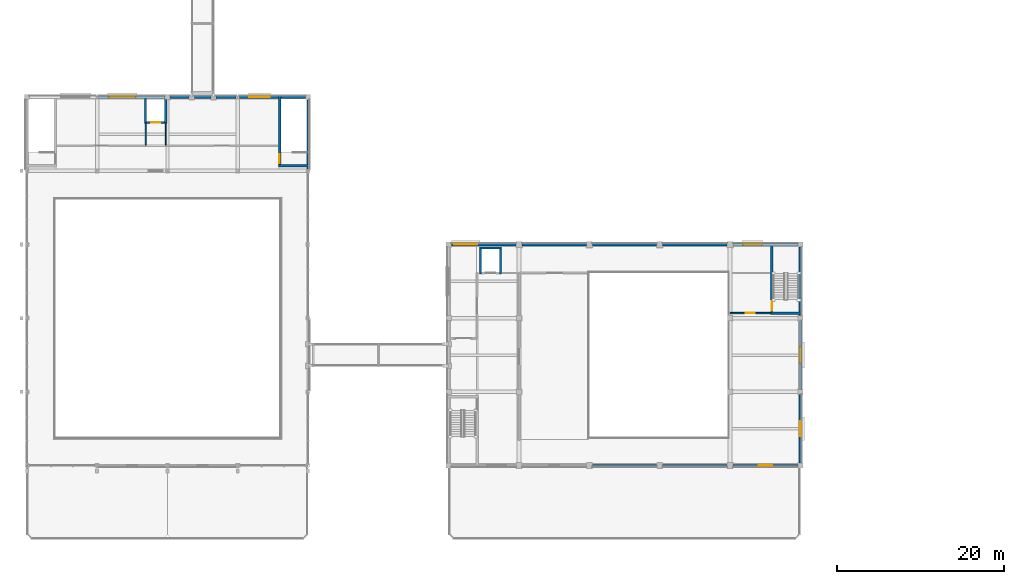
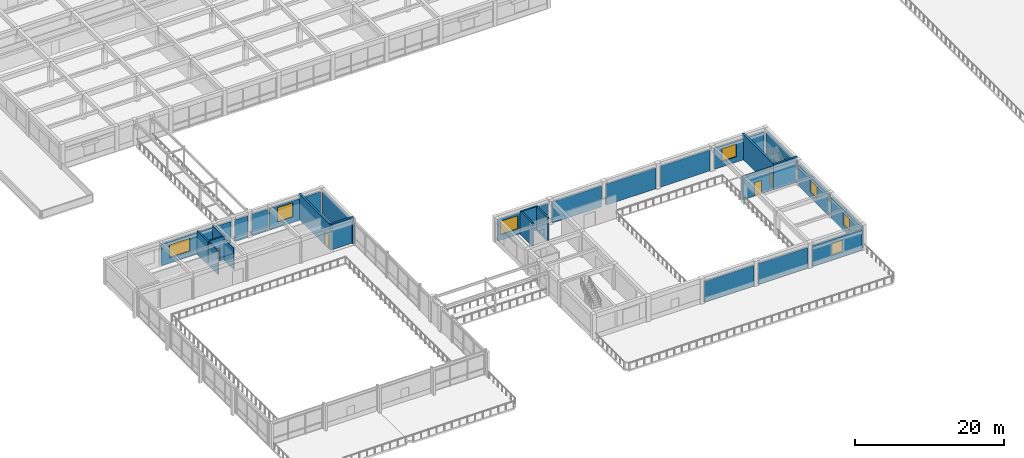
# One storey, part 35 of 57: 30 walls, 7 windows, 4 doors, 11 openings.
"""IFC4 building model written with IfcOpenShell, lengths in metres."""

from ifc_helpers import new_model, si_unit, direction, frame, frame_2d, origin, place, context, subcontext, project, spatial, rectangle, extrude, material, layer, layer_set, type_object, element, fill, save


model = new_model("IFC4")

# Units and contexts
model_context = context("Model", 3, precision=1e-05, world=origin(), true_north=direction((0.0, 1.0)))
body_context = subcontext(model_context, "Body", "Model", "MODEL_VIEW")
ifc_project = project(units=[si_unit("LENGTHUNIT", "METRE"), si_unit("AREAUNIT", "SQUARE_METRE"), si_unit("VOLUMEUNIT", "CUBIC_METRE"), si_unit("PLANEANGLEUNIT", "RADIAN"), si_unit("MASSUNIT", "GRAM", prefix="KILO")], contexts=[model_context])

# Site, building, storey
site_placement = place(None, origin())
site = spatial("IfcSite", under=ifc_project, at=site_placement, CompositionType="ELEMENT")
building_placement = place(site_placement, origin())
building = spatial("IfcBuilding", under=site, at=building_placement, Name="Kemercrest Conservatory and Botanical Centre", CompositionType="ELEMENT")
storey_placement = place(building_placement, frame((0.0, 0.0, 4.800048828125)))
storey = spatial("IfcBuildingStorey", under=building, at=storey_placement, Name="L01", CompositionType="ELEMENT", Elevation=4.800048828125)

# Wall
ifc_material_1 = material(Name="Precast concrete C40/50", Category="concrete")
ifc_layer_1 = layer(ifc_material_1, 0.300048828125)
ifc_layer_set_1 = layer_set([ifc_layer_1], Name="Precast concrete C40/50")
wall_type_1 = type_object("IfcWallType", Name="CW-EXT300", PredefinedType="SHEAR", material=ifc_layer_set_1)
wall_1_placement = place(storey_placement, frame((41.60009765625, 52.213134765625, 0.0), z_axis=(0.0, 0.0, 1.0), x_axis=(0.0, 1.0, 0.0)))
element("IfcWall", 1, at=wall_1_placement, inside=storey, type_object=wall_type_1, Name="Exterior stair-core shear wall CW-EXT300 (WAL:L01:EXT-015)", PredefinedType="SHEAR", context=body_context, shape_type="SweptSolid", body=[
    extrude(rectangle(XDim=8.27685546875, YDim=0.300048828125, at=frame_2d((4.138427734375, 0.0))), origin(), (0.0, 0.0, 1.0), 3.550048828125),
])

# Wall, opening, window
wall_2_placement = place(storey_placement, frame((41.2900390625, 60.800048828125, 0.0), z_axis=(0.0, 0.0, 1.0), x_axis=(-1.0, 0.0, 0.0)))
wall_2 = element("IfcWall", 2, at=wall_2_placement, inside=storey, type_object=wall_type_1, Name="Exterior stair-core shear wall CW-EXT300 (WAL:L01:EXT-016)", PredefinedType="SHEAR", context=body_context, shape_type="SweptSolid", body=[
    extrude(rectangle(XDim=7.8984375, YDim=0.300048828125, at=frame_2d((3.94921875, 0.0))), origin(), (0.0, 0.0, 1.0), 3.550048828125),
])
opening_1_placement = place(wall_2_placement, frame((4.294189453125, 0.0, 0.89990234375)))
opening_1 = element("IfcOpeningElement", 3, at=opening_1_placement, cuts=wall_2, Name="Opening WT-17", PredefinedType="OPENING", context=body_context, shape_type="SweptSolid", body=[
    extrude(rectangle(XDim=2.39990234375, YDim=2.35009765625, at=frame_2d((1.199951171875, 1.175048828125))), frame((0.0, 0.16015625, 0.0), z_axis=(0.0, -1.0, 0.0), x_axis=(1.0, 0.0, 0.0)), (0.0, 0.0, 1.0), 0.320068359375),
])
ifc_material_2 = material(Name="Thermally broken bronze-anodized aluminium and triple glazing", Category="aluminium")
window_type_1 = type_object("IfcWindowType", Name="WT-17", PartitioningType="SINGLE_PANEL", PredefinedType="WINDOW", material=ifc_material_2)
window_1_placement = place(opening_1_placement, origin())
window_1 = element("IfcWindow", 4, at=window_1_placement, inside=storey, type_object=window_type_1, Name="Exterior window WT-17 (WIN:L01:EXT-016)", OverallHeight=2.35009765625, OverallWidth=2.39990234375, PartitioningType="SINGLE_PANEL", PredefinedType="WINDOW", context=body_context, shape_type="SweptSolid", body=[
    extrude(rectangle(XDim=2.39990234375, YDim=2.35009765625, at=frame_2d((1.199951171875, 1.175048828125))), frame((0.0, 0.030029296875, 0.0), z_axis=(0.0, -1.0, 0.0), x_axis=(1.0, 0.0, 0.0)), (0.0, 0.0, 1.0), 0.06005859375),
])
fill(opening_1, window_1)

# Wall
wall_3_placement = place(storey_placement, frame((100.39990234375, 34.7099609375, 0.0), z_axis=(0.0, 0.0, 1.0), x_axis=(0.0, 1.0, 0.0)))
element("IfcWall", 5, at=wall_3_placement, inside=storey, type_object=wall_type_1, Name="Exterior stair-core shear wall CW-EXT300 (WAL:L01:EXT-044)", PredefinedType="SHEAR", context=body_context, shape_type="SweptSolid", body=[
    extrude(rectangle(XDim=8.179931640625, YDim=0.300048828125, at=frame_2d((4.08984375, 0.0))), origin(), (0.0, 0.0, 1.0), 3.449951171875),
])

# Wall, opening, window
wall_4_placement = place(storey_placement, frame((100.090087890625, 43.199951171875, 0.0), z_axis=(0.0, 0.0, 1.0), x_axis=(-1.0, 0.0, 0.0)))
wall_4 = element("IfcWall", 6, at=wall_4_placement, inside=storey, type_object=wall_type_1, Name="Exterior stair-core shear wall CW-EXT300 (WAL:L01:EXT-045)", PredefinedType="SHEAR", context=body_context, shape_type="SweptSolid", body=[
    extrude(rectangle(XDim=7.72998046875, YDim=0.300048828125, at=frame_2d((3.864990234375, 0.0))), origin(), (0.0, 0.0, 1.0), 3.449951171875),
])
opening_2_placement = place(wall_4_placement, frame((4.300048828125, 0.0, 0.89990234375)))
opening_2 = element("IfcOpeningElement", 7, at=opening_2_placement, cuts=wall_4, Name="Opening WT-52", PredefinedType="OPENING", context=body_context, shape_type="SweptSolid", body=[
    extrude(rectangle(XDim=2.219970703125, YDim=2.080078125, at=frame_2d((1.10986328125, 1.0400390625))), frame((0.0, 0.16015625, 0.0), z_axis=(0.0, -1.0, 0.0), x_axis=(1.0, 0.0, 0.0)), (0.0, 0.0, 1.0), 0.320068359375),
])
window_type_2 = type_object("IfcWindowType", Name="WT-52", PartitioningType="SINGLE_PANEL", PredefinedType="WINDOW", material=ifc_material_2)
window_2_placement = place(opening_2_placement, origin())
window_2 = element("IfcWindow", 8, at=window_2_placement, inside=storey, type_object=window_type_2, Name="Exterior window WT-52 (WIN:L01:EXT-045)", OverallHeight=2.080078125, OverallWidth=2.219970703125, PartitioningType="SINGLE_PANEL", PredefinedType="WINDOW", context=body_context, shape_type="SweptSolid", body=[
    extrude(rectangle(XDim=2.219970703125, YDim=2.080078125, at=frame_2d((1.10986328125, 1.0400390625))), frame((0.0, 0.030029296875, 0.0), z_axis=(0.0, -1.0, 0.0), x_axis=(1.0, 0.0, 0.0)), (0.0, 0.0, 1.0), 0.06005859375),
])
fill(opening_2, window_2)

# Wall
ifc_material_3 = material(Name="Concrete C50/60", Category="concrete")
ifc_layer_2 = layer(ifc_material_3, 0.300048828125)
ifc_layer_set_2 = layer_set([ifc_layer_2], Name="Concrete C50/60")
wall_type_2 = type_object("IfcWallType", Name="CW-STAIR", PredefinedType="SHEAR", material=ifc_layer_set_2)
wall_5_placement = place(storey_placement, frame((38.050048828125, 52.60009765625, 0.0), z_axis=(0.0, 0.0, 1.0), x_axis=(1.0, 0.0, 0.0)))
element("IfcWall", 9, at=wall_5_placement, inside=storey, type_object=wall_type_2, Name="Stair core ST-V1B shear wall S", PredefinedType="SHEAR", context=body_context, shape_type="SweptSolid", body=[
    extrude(rectangle(XDim=3.699951171875, YDim=0.300048828125, at=frame_2d((1.85009765625, 0.0))), origin(), (0.0, 0.0, 1.0), 4.199951171875),
])

# Wall, opening, door
wall_6_placement = place(storey_placement, frame((38.199951171875, 52.449951171875, 0.0), z_axis=(0.0, 0.0, 1.0), x_axis=(0.0, 1.0, 0.0)))
wall_6 = element("IfcWall", 10, at=wall_6_placement, inside=storey, type_object=wall_type_2, Name="Stair core ST-V1B shear wall W", PredefinedType="SHEAR", context=body_context, shape_type="SweptSolid", body=[
    extrude(rectangle(XDim=8.5, YDim=0.300048828125, at=frame_2d((4.25, 0.0))), origin(), (0.0, 0.0, 1.0), 4.199951171875),
])
opening_3_placement = place(wall_6_placement, frame((0.449951171875, 0.0, 0.0)))
opening_3 = element("IfcOpeningElement", 11, at=opening_3_placement, cuts=wall_6, Name="Opening D006", PredefinedType="OPENING", context=body_context, shape_type="SweptSolid", body=[
    extrude(rectangle(XDim=1.10009765625, YDim=2.199951171875, at=frame_2d((0.550048828125, 1.10009765625))), frame((0.0, 0.16015625, 0.0), z_axis=(0.0, -1.0, 0.0), x_axis=(1.0, 0.0, 0.0)), (0.0, 0.0, 1.0), 0.320068359375),
])
ifc_material_4 = material(Name="Powder-coated galvanized steel and fire-rated vision glass", Category="steel")
door_type_1 = type_object("IfcDoorType", Name="DT-FD90", OperationType="NOTDEFINED", PredefinedType="DOOR", material=ifc_material_4)
door_1_placement = place(opening_3_placement, origin())
door_1 = element("IfcDoor", 12, at=door_1_placement, inside=storey, type_object=door_type_1, Name="Exit stair ST-V1B fire door D006", OperationType="SINGLE_SWING_RIGHT", OverallHeight=2.199951171875, OverallWidth=1.10009765625, PredefinedType="DOOR", context=body_context, shape_type="SweptSolid", body=[
    extrude(rectangle(XDim=1.10009765625, YDim=2.199951171875, at=frame_2d((0.550048828125, 1.10009765625))), frame((0.0, 0.02490234375, 0.0), z_axis=(0.0, -1.0, 0.0), x_axis=(1.0, 0.0, 0.0)), (0.0, 0.0, 1.0), 0.050048828125),
])
fill(opening_3, door_1)

# Wall
wall_7_placement = place(storey_placement, frame((96.85009765625, 35.0, 0.0), z_axis=(0.0, 0.0, 1.0), x_axis=(1.0, 0.0, 0.0)))
element("IfcWall", 13, at=wall_7_placement, inside=storey, type_object=wall_type_2, Name="Stair core ST-V2B shear wall S", PredefinedType="SHEAR", context=body_context, shape_type="SweptSolid", body=[
    extrude(rectangle(XDim=3.699951171875, YDim=0.300048828125, at=frame_2d((1.85009765625, 0.0))), origin(), (0.0, 0.0, 1.0), 4.199951171875),
])

# Wall, opening, door
wall_8_placement = place(storey_placement, frame((97.0, 34.85009765625, 0.0), z_axis=(0.0, 0.0, 1.0), x_axis=(0.0, 1.0, 0.0)))
wall_8 = element("IfcWall", 14, at=wall_8_placement, inside=storey, type_object=wall_type_2, Name="Stair core ST-V2B shear wall W", PredefinedType="SHEAR", context=body_context, shape_type="SweptSolid", body=[
    extrude(rectangle(XDim=8.5, YDim=0.300048828125, at=frame_2d((4.25, 0.0))), origin(), (0.0, 0.0, 1.0), 4.199951171875),
])
opening_4_placement = place(wall_8_placement, frame((0.449951171875, 0.0, 0.0)))
opening_4 = element("IfcOpeningElement", 15, at=opening_4_placement, cuts=wall_8, Name="Opening D013", PredefinedType="OPENING", context=body_context, shape_type="SweptSolid", body=[
    extrude(rectangle(XDim=1.10009765625, YDim=2.199951171875, at=frame_2d((0.550048828125, 1.10009765625))), frame((0.0, 0.16015625, 0.0), z_axis=(0.0, -1.0, 0.0), x_axis=(1.0, 0.0, 0.0)), (0.0, 0.0, 1.0), 0.320068359375),
])
door_2_placement = place(opening_4_placement, origin())
door_2 = element("IfcDoor", 16, at=door_2_placement, inside=storey, type_object=door_type_1, Name="Exit stair ST-V2B fire door D013", OperationType="SINGLE_SWING_LEFT", OverallHeight=2.199951171875, OverallWidth=1.10009765625, PredefinedType="DOOR", context=body_context, shape_type="SweptSolid", body=[
    extrude(rectangle(XDim=1.10009765625, YDim=2.199951171875, at=frame_2d((0.550048828125, 1.10009765625))), frame((0.0, 0.02490234375, 0.0), z_axis=(0.0, -1.0, 0.0), x_axis=(1.0, 0.0, 0.0)), (0.0, 0.0, 1.0), 0.050048828125),
])
fill(opening_4, door_2)

# Walls
ifc_layer_3 = layer(ifc_material_1, 0.300048828125)
ifc_layer_set_3 = layer_set([ifc_layer_3], Name="Precast concrete C40/50")
wall_type_3 = type_object("IfcWallType", Name="W-EXT300", PredefinedType="SOLIDWALL", material=ifc_layer_set_3)
wall_9_placement = place(storey_placement, frame((33.008544921875, 60.800048828125, 0.0), z_axis=(0.0, 0.0, 1.0), x_axis=(-1.0, 0.0, 0.0)))
element("IfcWall", 17, at=wall_9_placement, inside=storey, type_object=wall_type_3, Name="Exterior almasik wall W-EXT300 (WAL:L01:EXT-017-S1)", PredefinedType="SOLIDWALL", context=body_context, shape_type="SweptSolid", body=[
    extrude(rectangle(XDim=2.3984375, YDim=0.300048828125, at=frame_2d((1.19921875, 0.0))), origin(), (0.0, 0.0, 1.0), 3.550048828125),
])
wall_10_placement = place(storey_placement, frame((29.989990234375, 60.800048828125, 0.0), z_axis=(0.0, 0.0, 1.0), x_axis=(-1.0, 0.0, 0.0)))
element("IfcWall", 18, at=wall_10_placement, inside=storey, type_object=wall_type_3, Name="Exterior almasik wall W-EXT300 (WAL:L01:EXT-017-S2)", PredefinedType="SOLIDWALL", context=body_context, shape_type="SweptSolid", body=[
    extrude(rectangle(XDim=1.97998046875, YDim=0.300048828125, at=frame_2d((0.989990234375, 0.0))), origin(), (0.0, 0.0, 1.0), 3.550048828125),
])
wall_11_placement = place(storey_placement, frame((27.389892578125, 60.800048828125, 0.0), z_axis=(0.0, 0.0, 1.0), x_axis=(-1.0, 0.0, 0.0)))
element("IfcWall", 19, at=wall_11_placement, inside=storey, type_object=wall_type_3, Name="Exterior almasik wall W-EXT300 (WAL:L01:EXT-017-S3)", PredefinedType="SOLIDWALL", context=body_context, shape_type="SweptSolid", body=[
    extrude(rectangle(XDim=2.27978515625, YDim=0.300048828125, at=frame_2d((1.139892578125, 0.0))), origin(), (0.0, 0.0, 1.0), 3.550048828125),
])

# Wall, opening, window
wall_12_placement = place(storey_placement, frame((24.489990234375, 60.800048828125, 0.0), z_axis=(0.0, 0.0, 1.0), x_axis=(-1.0, 0.0, 0.0)))
wall_12 = element("IfcWall", 20, at=wall_12_placement, inside=storey, type_object=wall_type_3, Name="Exterior almasik wall W-EXT300 (WAL:L01:EXT-018)", PredefinedType="SOLIDWALL", context=body_context, shape_type="SweptSolid", body=[
    extrude(rectangle(XDim=7.8984375, YDim=0.300048828125, at=frame_2d((3.94921875, 0.0))), origin(), (0.0, 0.0, 1.0), 3.550048828125),
])
opening_5_placement = place(wall_12_placement, frame((3.494140625, 0.0, 0.89990234375)))
opening_5 = element("IfcOpeningElement", 21, at=opening_5_placement, cuts=wall_12, Name="Opening WT-19", PredefinedType="OPENING", context=body_context, shape_type="SweptSolid", body=[
    extrude(rectangle(XDim=3.199951171875, YDim=2.10009765625, at=frame_2d((1.60009765625, 1.050048828125))), frame((0.0, 0.16015625, 0.0), z_axis=(0.0, -1.0, 0.0), x_axis=(1.0, 0.0, 0.0)), (0.0, 0.0, 1.0), 0.320068359375),
])
window_type_3 = type_object("IfcWindowType", Name="WT-19", PartitioningType="SINGLE_PANEL", PredefinedType="WINDOW", material=ifc_material_2)
window_3_placement = place(opening_5_placement, origin())
window_3 = element("IfcWindow", 22, at=window_3_placement, inside=storey, type_object=window_type_3, Name="Exterior window WT-19 (WIN:L01:EXT-018)", OverallHeight=2.10009765625, OverallWidth=3.199951171875, PartitioningType="SINGLE_PANEL", PredefinedType="WINDOW", context=body_context, shape_type="SweptSolid", body=[
    extrude(rectangle(XDim=3.199951171875, YDim=2.10009765625, at=frame_2d((1.60009765625, 1.050048828125))), frame((0.0, 0.030029296875, 0.0), z_axis=(0.0, -1.0, 0.0), x_axis=(1.0, 0.0, 0.0)), (0.0, 0.0, 1.0), 0.06005859375),
])
fill(opening_5, window_3)

# Walls
for number, where, z_axis, x_axis, name in (
    (23, (75.56005859375, 16.800048828125, 0.0), (0.0, 0.0, 1.0), (1.0, 0.0, 0.0), "Exterior almasik wall W-EXT300 (WAL:L01:EXT-039)"),
    (24, (83.9599609375, 16.800048828125, 0.0), (0.0, 0.0, 1.0), (1.0, 0.0, 0.0), "Exterior almasik wall W-EXT300 (WAL:L01:EXT-040)"),
):
    element("IfcWall", number, at=place(storey_placement, frame(where, z_axis=z_axis, x_axis=x_axis)), inside=storey, type_object=wall_type_3, Name=name, PredefinedType="SOLIDWALL", context=body_context, shape_type="SweptSolid", body=[
        extrude(rectangle(XDim=7.679931640625, YDim=0.300048828125, at=frame_2d((3.83984375, 0.0))), origin(), (0.0, 0.0, 1.0), 3.449951171875),
    ])

# Wall, opening, window
wall_13_placement = place(storey_placement, frame((92.360107421875, 16.800048828125, 0.0), z_axis=(0.0, 0.0, 1.0), x_axis=(1.0, 0.0, 0.0)))
wall_13 = element("IfcWall", 25, at=wall_13_placement, inside=storey, type_object=wall_type_3, Name="Exterior almasik wall W-EXT300 (WAL:L01:EXT-041)", PredefinedType="SOLIDWALL", context=body_context, shape_type="SweptSolid", body=[
    extrude(rectangle(XDim=7.72998046875, YDim=0.300048828125, at=frame_2d((3.864990234375, 0.0))), origin(), (0.0, 0.0, 1.0), 3.449951171875),
])
opening_6_placement = place(wall_13_placement, frame((3.054931640625, 0.0, 0.89990234375)))
opening_6 = element("IfcOpeningElement", 26, at=opening_6_placement, cuts=wall_13, Name="Opening WT-48", PredefinedType="OPENING", context=body_context, shape_type="SweptSolid", body=[
    extrude(rectangle(XDim=1.6201171875, YDim=1.8798828125, at=frame_2d((0.81005859375, 0.93994140625))), frame((0.0, 0.16015625, 0.0), z_axis=(0.0, -1.0, 0.0), x_axis=(1.0, 0.0, 0.0)), (0.0, 0.0, 1.0), 0.320068359375),
])
window_type_4 = type_object("IfcWindowType", Name="WT-48", PartitioningType="SINGLE_PANEL", PredefinedType="WINDOW", material=ifc_material_2)
window_4_placement = place(opening_6_placement, origin())
window_4 = element("IfcWindow", 27, at=window_4_placement, inside=storey, type_object=window_type_4, Name="Exterior window WT-48 (WIN:L01:EXT-041)", OverallHeight=1.8798828125, OverallWidth=1.6201171875, PartitioningType="SINGLE_PANEL", PredefinedType="WINDOW", context=body_context, shape_type="SweptSolid", body=[
    extrude(rectangle(XDim=1.6201171875, YDim=1.8798828125, at=frame_2d((0.81005859375, 0.93994140625))), frame((0.0, 0.030029296875, 0.0), z_axis=(0.0, -1.0, 0.0), x_axis=(1.0, 0.0, 0.0)), (0.0, 0.0, 1.0), 0.06005859375),
])
fill(opening_6, window_4)

wall_14_placement = place(storey_placement, frame((100.39990234375, 17.110107421875, 0.0), z_axis=(0.0, 0.0, 1.0), x_axis=(0.0, 1.0, 0.0)))
wall_14 = element("IfcWall", 28, at=wall_14_placement, inside=storey, type_object=wall_type_3, Name="Exterior almasik wall W-EXT300 (WAL:L01:EXT-042)", PredefinedType="SOLIDWALL", context=body_context, shape_type="SweptSolid", body=[
    extrude(rectangle(XDim=8.179931640625, YDim=0.300048828125, at=frame_2d((4.08984375, 0.0))), origin(), (0.0, 0.0, 1.0), 3.449951171875),
])
opening_7_placement = place(wall_14_placement, frame((3.2099609375, 0.0, 0.89990234375)))
opening_7 = element("IfcOpeningElement", 29, at=opening_7_placement, cuts=wall_14, Name="Opening WT-49", PredefinedType="OPENING", context=body_context, shape_type="SweptSolid", body=[
    extrude(rectangle(XDim=1.760009765625, YDim=1.93994140625, at=frame_2d((0.8798828125, 0.969970703125))), frame((0.0, 0.16015625, 0.0), z_axis=(0.0, -1.0, 0.0), x_axis=(1.0, 0.0, 0.0)), (0.0, 0.0, 1.0), 0.320068359375),
])
window_type_5 = type_object("IfcWindowType", Name="WT-49", PartitioningType="SINGLE_PANEL", PredefinedType="WINDOW", material=ifc_material_2)
window_5_placement = place(opening_7_placement, origin())
window_5 = element("IfcWindow", 30, at=window_5_placement, inside=storey, type_object=window_type_5, Name="Exterior window WT-49 (WIN:L01:EXT-042)", OverallHeight=1.93994140625, OverallWidth=1.760009765625, PartitioningType="SINGLE_PANEL", PredefinedType="WINDOW", context=body_context, shape_type="SweptSolid", body=[
    extrude(rectangle(XDim=1.760009765625, YDim=1.93994140625, at=frame_2d((0.8798828125, 0.969970703125))), frame((0.0, 0.030029296875, 0.0), z_axis=(0.0, -1.0, 0.0), x_axis=(1.0, 0.0, 0.0)), (0.0, 0.0, 1.0), 0.06005859375),
])
fill(opening_7, window_5)

wall_15_placement = place(storey_placement, frame((100.39990234375, 25.909912109375, 0.0), z_axis=(0.0, 0.0, 1.0), x_axis=(0.0, 1.0, 0.0)))
wall_15 = element("IfcWall", 31, at=wall_15_placement, inside=storey, type_object=wall_type_3, Name="Exterior almasik wall W-EXT300 (WAL:L01:EXT-043)", PredefinedType="SOLIDWALL", context=body_context, shape_type="SweptSolid", body=[
    extrude(rectangle(XDim=8.18017578125, YDim=0.300048828125, at=frame_2d((4.090087890625, 0.0))), origin(), (0.0, 0.0, 1.0), 3.449951171875),
])
opening_8_placement = place(wall_15_placement, frame((3.1298828125, 0.0, 0.89990234375)))
opening_8 = element("IfcOpeningElement", 32, at=opening_8_placement, cuts=wall_15, Name="Opening WT-50", PredefinedType="OPENING", context=body_context, shape_type="SweptSolid", body=[
    extrude(rectangle(XDim=1.919921875, YDim=1.97998046875, at=frame_2d((0.9599609375, 0.989990234375))), frame((0.0, 0.16015625, 0.0), z_axis=(0.0, -1.0, 0.0), x_axis=(1.0, 0.0, 0.0)), (0.0, 0.0, 1.0), 0.320068359375),
])
window_type_6 = type_object("IfcWindowType", Name="WT-50", PartitioningType="SINGLE_PANEL", PredefinedType="WINDOW", material=ifc_material_2)
window_6_placement = place(opening_8_placement, origin())
window_6 = element("IfcWindow", 33, at=window_6_placement, inside=storey, type_object=window_type_6, Name="Exterior window WT-50 (WIN:L01:EXT-043)", OverallHeight=1.97998046875, OverallWidth=1.919921875, PartitioningType="SINGLE_PANEL", PredefinedType="WINDOW", context=body_context, shape_type="SweptSolid", body=[
    extrude(rectangle(XDim=1.919921875, YDim=1.97998046875, at=frame_2d((0.9599609375, 0.989990234375))), frame((0.0, 0.030029296875, 0.0), z_axis=(0.0, -1.0, 0.0), x_axis=(1.0, 0.0, 0.0)), (0.0, 0.0, 1.0), 0.06005859375),
])
fill(opening_8, window_6)

# Walls
for number, where, z_axis, x_axis, name in (
    (34, (91.639892578125, 43.199951171875, 0.0), (0.0, 0.0, 1.0), (-1.0, 0.0, 0.0), "Exterior almasik wall W-EXT300 (WAL:L01:EXT-046)"),
    (35, (83.239990234375, 43.199951171875, 0.0), (0.0, 0.0, 1.0), (-1.0, 0.0, 0.0), "Exterior almasik wall W-EXT300 (WAL:L01:EXT-047)"),
):
    element("IfcWall", number, at=place(storey_placement, frame(where, z_axis=z_axis, x_axis=x_axis)), inside=storey, type_object=wall_type_3, Name=name, PredefinedType="SOLIDWALL", context=body_context, shape_type="SweptSolid", body=[
        extrude(rectangle(XDim=7.679931640625, YDim=0.300048828125, at=frame_2d((3.83984375, 0.0))), origin(), (0.0, 0.0, 1.0), 3.449951171875),
    ])
wall_16_placement = place(storey_placement, frame((74.840087890625, 43.199951171875, 0.0), z_axis=(0.0, 0.0, 1.0), x_axis=(-1.0, 0.0, 0.0)))
element("IfcWall", 36, at=wall_16_placement, inside=storey, type_object=wall_type_3, Name="Exterior almasik wall W-EXT300 (WAL:L01:EXT-048)", PredefinedType="SOLIDWALL", context=body_context, shape_type="SweptSolid", body=[
    extrude(rectangle(XDim=7.68017578125, YDim=0.300048828125, at=frame_2d((3.840087890625, 0.0))), origin(), (0.0, 0.0, 1.0), 3.449951171875),
])

# Wall, opening, window
wall_17_placement = place(storey_placement, frame((66.43994140625, 43.199951171875, 0.0), z_axis=(0.0, 0.0, 1.0), x_axis=(-1.0, 0.0, 0.0)))
wall_17 = element("IfcWall", 37, at=wall_17_placement, inside=storey, type_object=wall_type_3, Name="Exterior almasik wall W-EXT300 (WAL:L01:EXT-049)", PredefinedType="SOLIDWALL", context=body_context, shape_type="SweptSolid", body=[
    extrude(rectangle(XDim=7.72998046875, YDim=0.300048828125, at=frame_2d((3.864990234375, 0.0))), origin(), (0.0, 0.0, 1.0), 3.449951171875),
])
opening_9_placement = place(wall_17_placement, frame((4.614990234375, 0.0, 0.89990234375)))
opening_9 = element("IfcOpeningElement", 38, at=opening_9_placement, cuts=wall_17, Name="Opening WT-55", PredefinedType="OPENING", context=body_context, shape_type="SweptSolid", body=[
    extrude(rectangle(XDim=2.739990234375, YDim=2.199951171875, at=frame_2d((1.3701171875, 1.10009765625))), frame((0.0, 0.16015625, 0.0), z_axis=(0.0, -1.0, 0.0), x_axis=(1.0, 0.0, 0.0)), (0.0, 0.0, 1.0), 0.320068359375),
])
window_type_7 = type_object("IfcWindowType", Name="WT-55", PartitioningType="SINGLE_PANEL", PredefinedType="WINDOW", material=ifc_material_2)
window_7_placement = place(opening_9_placement, origin())
window_7 = element("IfcWindow", 39, at=window_7_placement, inside=storey, type_object=window_type_7, Name="Exterior window WT-55 (WIN:L01:EXT-049)", OverallHeight=2.199951171875, OverallWidth=2.739990234375, PartitioningType="SINGLE_PANEL", PredefinedType="WINDOW", context=body_context, shape_type="SweptSolid", body=[
    extrude(rectangle(XDim=2.739990234375, YDim=2.199951171875, at=frame_2d((1.3701171875, 1.10009765625))), frame((0.0, 0.030029296875, 0.0), z_axis=(0.0, -1.0, 0.0), x_axis=(1.0, 0.0, 0.0)), (0.0, 0.0, 1.0), 0.06005859375),
])
fill(opening_9, window_7)

# Walls
ifc_material_5 = material(Name="Moisture-resistant gypsum board partition", Category="gypsum")
ifc_layer_4 = layer(ifc_material_5, 0.125)
ifc_layer_set_4 = layer_set([ifc_layer_4], Name="Moisture-resistant gypsum board partition")
wall_type_4 = type_object("IfcWallType", Name="W-PART125", PredefinedType="PARTITIONING", material=ifc_layer_set_4)
wall_18_placement = place(storey_placement, frame((24.60009765625, 55.0673828125, 0.0), z_axis=(0.0, 0.0, 1.0), x_axis=(0.0, 1.0, 0.0)))
element("IfcWall", 40, at=wall_18_placement, inside=storey, type_object=wall_type_4, Name="Interior partition W-PART125 #65", PredefinedType="PARTITIONING", context=body_context, shape_type="SweptSolid", body=[
    extrude(rectangle(XDim=2.6025390625, YDim=0.125, at=frame_2d((1.30126953125, 0.0))), origin(), (0.0, 0.0, 1.0), 3.544921875),
])
ifc_material_6 = material(Name="Steel-stud gypsum board partition", Category="steel")
ifc_layer_5 = layer(ifc_material_6, 0.14990234375)
ifc_layer_set_5 = layer_set([ifc_layer_5], Name="Steel-stud gypsum board partition")
wall_type_5 = type_object("IfcWallType", Name="W-PART150", PredefinedType="PARTITIONING", material=ifc_layer_set_5)
wall_19_placement = place(storey_placement, frame((22.199951171875, 55.080078125, 0.0), z_axis=(0.0, 0.0, 1.0), x_axis=(0.0, 1.0, 0.0)))
element("IfcWall", 41, at=wall_19_placement, inside=storey, type_object=wall_type_5, Name="Interior partition W-PART150 #64", PredefinedType="PARTITIONING", context=body_context, shape_type="SweptSolid", body=[
    extrude(rectangle(XDim=2.58984375, YDim=0.14990234375, at=frame_2d((1.294921875, 0.0))), origin(), (0.0, 0.0, 1.0), 3.864990234375),
])

# Wall, opening, door
ifc_material_7 = material(Name="Acoustic steel-stud gypsum board assembly", Category="steel")
ifc_layer_6 = layer(ifc_material_7, 0.179931640625)
ifc_layer_set_6 = layer_set([ifc_layer_6], Name="Acoustic steel-stud gypsum board assembly")
wall_type_6 = type_object("IfcWallType", Name="W-PART180", PredefinedType="PARTITIONING", material=ifc_layer_set_6)
wall_20_placement = place(storey_placement, frame((92.0, 35.0, 0.0), z_axis=(0.0, 0.0, 1.0), x_axis=(1.0, 0.0, 0.0)))
wall_20 = element("IfcWall", 42, at=wall_20_placement, inside=storey, type_object=wall_type_6, Name="Interior partition W-PART180 #69", PredefinedType="PARTITIONING", context=body_context, shape_type="SweptSolid", body=[
    extrude(rectangle(XDim=4.844970703125, YDim=0.179931640625, at=frame_2d((2.42236328125, 0.0))), origin(), (0.0, 0.0, 1.0), 3.864990234375),
])
opening_10_placement = place(wall_20_placement, frame((1.862548828125, 0.0, 0.0)))
opening_10 = element("IfcOpeningElement", 43, at=opening_10_placement, cuts=wall_20, Name="Opening D145", PredefinedType="OPENING", context=body_context, shape_type="SweptSolid", body=[
    extrude(rectangle(XDim=1.1201171875, YDim=2.219970703125, at=frame_2d((0.56005859375, 1.10986328125))), frame((0.0, 0.10009765625, 0.0), z_axis=(0.0, -1.0, 0.0), x_axis=(1.0, 0.0, 0.0)), (0.0, 0.0, 1.0), 0.199951171875),
])
ifc_material_8 = material(Name="FSC solid-core white oak veneer and anodized aluminium frame", Category="aluminium")
door_type_2 = type_object("IfcDoorType", Name="DT-25", OperationType="NOTDEFINED", PredefinedType="DOOR", material=ifc_material_8)
door_3_placement = place(opening_10_placement, origin())
door_3 = element("IfcDoor", 44, at=door_3_placement, inside=storey, type_object=door_type_2, Name="Simultaneous Interpretation Studio door D145", OperationType="SINGLE_SWING_LEFT", OverallHeight=2.219970703125, OverallWidth=1.1201171875, PredefinedType="DOOR", context=body_context, shape_type="SweptSolid", body=[
    extrude(rectangle(XDim=1.1201171875, YDim=2.219970703125, at=frame_2d((0.56005859375, 1.10986328125))), frame((0.0, 0.02490234375, 0.0), z_axis=(0.0, -1.0, 0.0), x_axis=(1.0, 0.0, 0.0)), (0.0, 0.0, 1.0), 0.050048828125),
])
fill(opening_10, door_3)

ifc_material_9 = material(Name="Concrete C40/50", Category="concrete")
ifc_layer_7 = layer(ifc_material_9, 0.25)
ifc_layer_set_7 = layer_set([ifc_layer_7], Name="Concrete C40/50")
wall_type_7 = type_object("IfcWallType", Name="W-SHFT250", PredefinedType="SOLIDWALL", material=ifc_layer_set_7)
wall_21_placement = place(storey_placement, frame((22.074951171875, 57.800048828125, 0.0), z_axis=(0.0, 0.0, 1.0), x_axis=(1.0, 0.0, 0.0)))
wall_21 = element("IfcWall", 45, at=wall_21_placement, inside=storey, type_object=wall_type_7, Name="Elevator LF-V1 shaft wall south", PredefinedType="SOLIDWALL", context=body_context, shape_type="SweptSolid", body=[
    extrude(rectangle(XDim=2.650146484375, YDim=0.25, at=frame_2d((1.3251953125, 0.0))), origin(), (0.0, 0.0, 1.0), 3.8798828125),
])
opening_11_placement = place(wall_21_placement, frame((0.77490234375, 0.0, 0.0)))
opening_11 = element("IfcOpeningElement", 46, at=opening_11_placement, cuts=wall_21, Name="Opening LD-095", PredefinedType="OPENING", context=body_context, shape_type="SweptSolid", body=[
    extrude(rectangle(XDim=1.10009765625, YDim=2.199951171875, at=frame_2d((0.550048828125, 1.10009765625))), frame((0.0, 0.135009765625, 0.0), z_axis=(0.0, -1.0, 0.0), x_axis=(1.0, 0.0, 0.0)), (0.0, 0.0, 1.0), 0.27001953125),
])
door_type_3 = type_object("IfcDoorType", Name="DT-LD01", OperationType="SLIDING_TO_LEFT", PredefinedType="DOOR", material=ifc_material_4)
door_4_placement = place(opening_11_placement, origin())
door_4 = element("IfcDoor", 47, at=door_4_placement, inside=storey, type_object=door_type_3, Name="Elevator LF-V1 sliding landing door LD-095", OperationType="SLIDING_TO_LEFT", OverallHeight=2.199951171875, OverallWidth=1.10009765625, PredefinedType="DOOR", context=body_context, shape_type="SweptSolid", body=[
    extrude(rectangle(XDim=1.10009765625, YDim=2.199951171875, at=frame_2d((0.550048828125, 1.10009765625))), frame((0.0, 0.02490234375, 0.0), z_axis=(0.0, -1.0, 0.0), x_axis=(1.0, 0.0, 0.0)), (0.0, 0.0, 1.0), 0.050048828125),
])
fill(opening_11, door_4)

# Walls
for number, where, z_axis, x_axis, name in (
    (48, (22.199951171875, 57.675048828125, 0.0), (0.0, 0.0, 1.0), (0.0, 1.0, 0.0), "Elevator LF-V1 shaft wall west"),
    (49, (24.60009765625, 57.675048828125, 0.0), (0.0, 0.0, 1.0), (0.0, 1.0, 0.0), "Elevator LF-V1 shaft wall east"),
):
    element("IfcWall", number, at=place(storey_placement, frame(where, z_axis=z_axis, x_axis=x_axis)), inside=storey, type_object=wall_type_7, Name=name, PredefinedType="SOLIDWALL", context=body_context, shape_type="SweptSolid", body=[
        extrude(rectangle(XDim=2.949951171875, YDim=0.25, at=frame_2d((1.47509765625, 0.0))), origin(), (0.0, 0.0, 1.0), 3.8798828125),
    ])
wall_22_placement = place(storey_placement, frame((62.074951171875, 42.800048828125, 0.0), z_axis=(0.0, 0.0, 1.0), x_axis=(1.0, 0.0, 0.0)))
element("IfcWall", 50, at=wall_22_placement, inside=storey, type_object=wall_type_7, Name="Elevator LF-V2 shaft wall north", PredefinedType="SOLIDWALL", context=body_context, shape_type="SweptSolid", body=[
    extrude(rectangle(XDim=2.650146484375, YDim=0.25, at=frame_2d((1.3251953125, 0.0))), origin(), (0.0, 0.0, 1.0), 3.8798828125),
])
for number, where, z_axis, x_axis, name in (
    (51, (62.199951171875, 39.675048828125, 0.0), (0.0, 0.0, 1.0), (0.0, 1.0, 0.0), "Elevator LF-V2 shaft wall west"),
    (52, (64.60009765625, 39.675048828125, 0.0), (0.0, 0.0, 1.0), (0.0, 1.0, 0.0), "Elevator LF-V2 shaft wall east"),
):
    element("IfcWall", number, at=place(storey_placement, frame(where, z_axis=z_axis, x_axis=x_axis)), inside=storey, type_object=wall_type_7, Name=name, PredefinedType="SOLIDWALL", context=body_context, shape_type="SweptSolid", body=[
        extrude(rectangle(XDim=3.25, YDim=0.25, at=frame_2d((1.625, 0.0))), origin(), (0.0, 0.0, 1.0), 3.8798828125),
    ])

save(model, "model.ifc")
